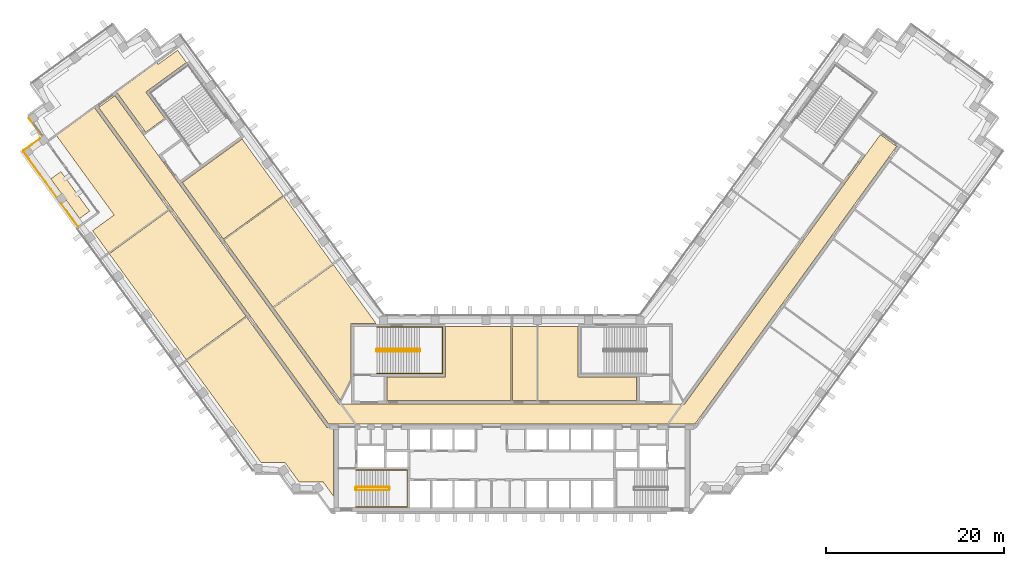
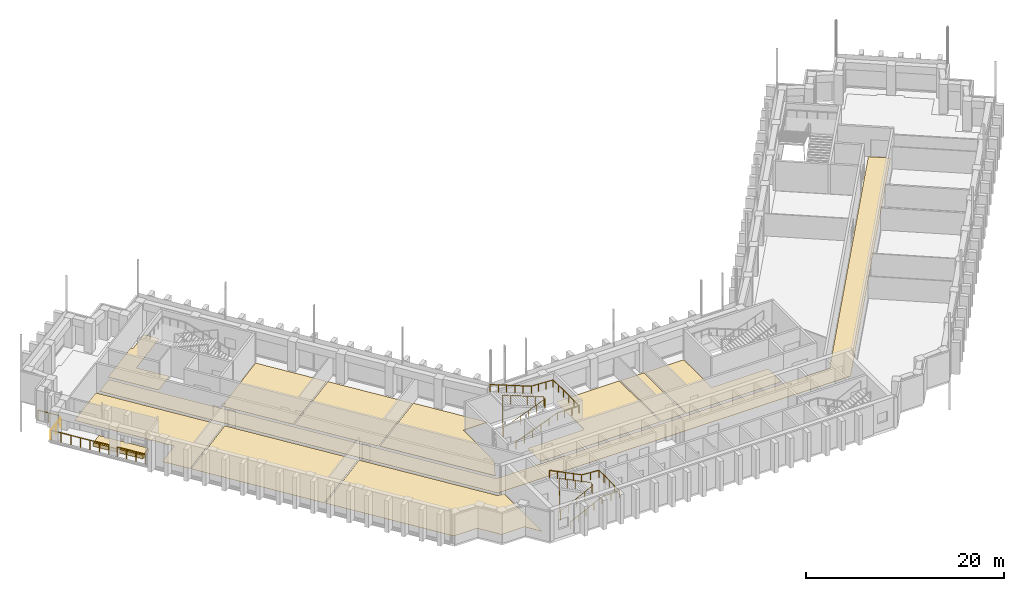
# One storey, part 17 of 19: 12 coverings, 8 railings.
"""IFC4 building model written with IfcOpenShell, lengths in metres."""

from ifc_helpers import new_model, si_unit, direction, frame, origin, origin_2d, place, context, subcontext, project, spatial, polyline, circle, outline, extrude, material, layer, layer_set, type_object, element, save


model = new_model("IFC4")

# Units and contexts
model_context = context("Model", 3, precision=1e-05, world=origin(), true_north=direction((0.0, 1.0)))
body_context = subcontext(model_context, "Body", "Model", "MODEL_VIEW")
ifc_project = project(units=[si_unit("LENGTHUNIT", "METRE"), si_unit("AREAUNIT", "SQUARE_METRE"), si_unit("VOLUMEUNIT", "CUBIC_METRE"), si_unit("PLANEANGLEUNIT", "RADIAN"), si_unit("MASSUNIT", "GRAM", prefix="KILO")], contexts=[model_context])

# Site, building, storey
site_placement = place(None, origin())
site = spatial("IfcSite", under=ifc_project, at=site_placement, CompositionType="ELEMENT")
building_placement = place(site_placement, origin())
building = spatial("IfcBuilding", under=site, at=building_placement, Name="Quipu Civic Tower", CompositionType="ELEMENT")
storey_placement = place(building_placement, frame((0.0, 0.0, 35.0)))
storey = spatial("IfcBuildingStorey", under=building, at=storey_placement, Name="L07", CompositionType="ELEMENT", Elevation=35.0)

# Coverings
ifc_material_1 = material(Name="Carpet tile on raised access floor")
ifc_layer_1 = layer(ifc_material_1, 0.02001953125)
ifc_layer_set_1 = layer_set([ifc_layer_1], Name="Carpet tile on raised access floor")
covering_type_1 = type_object("IfcCoveringType", Name="Carpet tile floor finish 20", PredefinedType="FLOORING", material=ifc_layer_set_1)
covering_1_placement = place(storey_placement, origin())
element("IfcCovering", 1, at=covering_1_placement, inside=storey, type_object=covering_type_1, Name="Carpet tile floor finish 20", PredefinedType="FLOORING", context=body_context, shape_type="SweptSolid", body=[
    extrude(outline(polyline([(-44.445068359375, 36.23193359375), (-39.906005859375, 39.530029296875), (-39.757080078125, 39.327880859375), (-37.573974609375, 40.9130859375), (-36.570068359375, 39.530029296875), (-41.139892578125, 36.208984375), (-38.998046875, 33.260009765625), (-41.15087890625, 31.697021484375), (-44.445068359375, 36.23193359375)])), origin(), (0.0, 0.0, 1.0), 0.02001953125),
])
covering_2_placement = place(storey_placement, origin())
element("IfcCovering", 2, at=covering_2_placement, inside=storey, type_object=covering_type_1, Name="Carpet tile floor finish 20", PredefinedType="FLOORING", context=body_context, shape_type="SweptSolid", body=[
    extrude(outline(polyline([(-32.339111328125, 19.570068359375), (-25.615966796875, 24.4541015625), (-20.14404296875, 16.9208984375), (-26.866943359375, 12.0380859375), (-32.339111328125, 19.570068359375)])), origin(), (0.0, 0.0, 1.0), 0.02001953125),
])
covering_3_placement = place(storey_placement, origin())
element("IfcCovering", 3, at=covering_3_placement, inside=storey, type_object=covering_type_1, Name="Carpet tile floor finish 20", PredefinedType="FLOORING", context=body_context, shape_type="SweptSolid", body=[
    extrude(outline(polyline([(-51.199951171875, 31.323974609375), (-46.904052734375, 34.444091796875), (-38.60791015625, 23.02490234375), (-45.3310546875, 18.14111328125), (-47.132080078125, 20.62109375), (-44.7060546875, 22.385009765625), (-51.199951171875, 31.323974609375)])), origin(), (0.0, 0.0, 1.0), 0.02001953125),
])
covering_4_placement = place(storey_placement, origin())
element("IfcCovering", 4, at=covering_4_placement, inside=storey, type_object=covering_type_1, Name="Carpet tile floor finish 20", PredefinedType="FLOORING", context=body_context, shape_type="SweptSolid", body=[
    extrude(outline(polyline([(-36.52001953125, 6.013916015625), (-29.7958984375, 10.89794921875), (-20.77490234375, -1.51904296875), (-20.070068359375, -1.52001953125), (-20.070068359375, -9.195068359375), (-21.196044921875, -7.64599609375), (-21.6630859375, -7.64599609375), (-21.666015625, -7.64404296875), (-21.669921875, -7.64111328125), (-21.675048828125, -7.639892578125), (-21.679931640625, -7.637939453125), (-21.68408203125, -7.636962890625), (-21.68896484375, -7.636962890625), (-21.694091796875, -7.635986328125), (-21.698974609375, -7.636962890625), (-21.7041015625, -7.637939453125), (-21.708984375, -7.638916015625), (-21.712890625, -7.64111328125), (-21.718017578125, -7.64306640625), (-21.721923828125, -7.64599609375), (-21.721923828125, -7.64599609375), (-23.89501953125, -7.64599609375), (-25.48193359375, -5.4619140625), (-28.181884765625, -5.4609375), (-36.52001953125, 6.013916015625)])), origin(), (0.0, 0.0, 1.0), 0.02001953125),
])
covering_5_placement = place(storey_placement, origin())
element("IfcCovering", 5, at=covering_5_placement, inside=storey, type_object=covering_type_1, Name="Carpet tile floor finish 20", PredefinedType="FLOORING", context=body_context, shape_type="SweptSolid", body=[
    extrude(outline(polyline([(2.948974609375, 1.52001953125), (2.948974609375, 9.830078125), (7.429931640625, 9.830078125), (7.430908203125, 4.179931640625), (14.030029296875, 4.179931640625), (14.030029296875, 1.52001953125), (2.948974609375, 1.52001953125)])), origin(), (0.0, 0.0, 1.0), 0.02001953125),
])
covering_6_placement = place(storey_placement, origin())
element("IfcCovering", 6, at=covering_6_placement, inside=storey, type_object=covering_type_1, Name="Carpet tile floor finish 20", PredefinedType="FLOORING", context=body_context, shape_type="SweptSolid", body=[
    extrude(outline(polyline([(-45.248046875, 18.028076171875), (-38.52490234375, 22.912109375), (-29.87890625, 11.010986328125), (-36.60302734375, 6.126953125), (-45.248046875, 18.028076171875)])), origin(), (0.0, 0.0, 1.0), 0.02001953125),
])
ifc_material_2 = material(Name="Ceramic floor tile")
ifc_layer_2 = layer(ifc_material_2, 0.030029296875)
ifc_layer_set_2 = layer_set([ifc_layer_2], Name="Ceramic floor tile")
covering_type_2 = type_object("IfcCoveringType", Name="Ceramic tile floor finish 30", PredefinedType="FLOORING", material=ifc_layer_set_2)
covering_7_placement = place(storey_placement, origin())
element("IfcCovering", 7, at=covering_7_placement, inside=storey, type_object=covering_type_2, Name="Ceramic tile floor finish 30", PredefinedType="FLOORING", context=body_context, shape_type="SweptSolid", body=[
    extrude(outline(polyline([(0.070068359375, 9.830078125), (2.80908203125, 9.830078125), (2.80908203125, 1.52001953125), (0.070068359375, 1.52001953125), (0.070068359375, 9.830078125)])), origin(), (0.0, 0.0, 1.0), 0.030029296875),
])
covering_8_placement = place(storey_placement, origin())
element("IfcCovering", 8, at=covering_8_placement, inside=storey, type_object=covering_type_2, Name="Ceramic tile floor finish 30", PredefinedType="FLOORING", context=body_context, shape_type="SweptSolid", body=[
    extrude(outline(polyline([(-14.030029296875, 4.179931640625), (-7.430908203125, 4.179931640625), (-7.429931640625, 9.830078125), (-0.070068359375, 9.830078125), (-0.070068359375, 1.52001953125), (-14.030029296875, 1.52001953125), (-14.030029296875, 4.179931640625)])), origin(), (0.0, 0.0, 1.0), 0.030029296875),
])
covering_9_placement = place(storey_placement, origin())
element("IfcCovering", 9, at=covering_9_placement, inside=storey, type_object=covering_type_2, Name="Ceramic tile floor finish 30", PredefinedType="FLOORING", context=body_context, shape_type="SweptSolid", body=[
    extrude(outline(polyline([(-37.0380859375, 26.0380859375), (-30.31494140625, 30.922119140625), (-25.698974609375, 24.56689453125), (-32.422119140625, 19.68310546875), (-37.0380859375, 26.0380859375)])), origin(), (0.0, 0.0, 1.0), 0.030029296875),
])
ifc_material_3 = material(Name="Planting soil on drainage board")
ifc_layer_3 = layer(ifc_material_3, 0.449951171875)
ifc_layer_set_3 = layer_set([ifc_layer_3], Name="Planting soil on drainage board")
covering_type_3 = type_object("IfcCoveringType", Name="Planted terrace build-up", PredefinedType="FLOORING", material=ifc_layer_set_3)
covering_10_placement = place(storey_placement, origin())
element("IfcCovering", 10, at=covering_10_placement, inside=storey, type_object=covering_type_3, Name="Planted terrace L07 bed 1", PredefinedType="FLOORING", context=body_context, shape_type="SweptSolid", body=[
    extrude(outline(polyline([(-47.456787109375, 22.819580078125), (-48.58935546875, 21.99658203125), (-51.822021484375, 26.446044921875), (-50.689453125, 27.26904296875), (-47.456787109375, 22.819580078125)])), origin(), (0.0, 0.0, 1.0), 0.449951171875),
])
ifc_material_4 = material(Name="Sealed cement screed")
ifc_layer_4 = layer(ifc_material_4, 0.050048828125)
ifc_layer_set_4 = layer_set([ifc_layer_4], Name="Sealed cement screed")
covering_type_4 = type_object("IfcCoveringType", Name="Sealed screed floor finish 50", PredefinedType="FLOORING", material=ifc_layer_set_4)
covering_11_placement = place(storey_placement, origin())
element("IfcCovering", 11, at=covering_11_placement, inside=storey, type_object=covering_type_4, Name="Sealed screed floor finish 50", PredefinedType="FLOORING", context=body_context, shape_type="SweptSolid", body=[
    extrude(outline(polyline([(-26.783935546875, 11.925048828125), (-20.06103515625, 16.80810546875), (-15.238037109375, 10.169921875), (-18.070068359375, 10.1689453125), (-18.070068359375, 3.94189453125), (-19.27197265625, 1.583984375), (-26.783935546875, 11.925048828125)])), origin(), (0.0, 0.0, 1.0), 0.050048828125),
])

# Railings
ifc_material_5 = material(Name="Stainless steel", Category="steel")
railing_type_1 = type_object("IfcRailingType", Name="Stair guard 1100", PredefinedType="GUARDRAIL", material=ifc_material_5)
railing_1_placement = place(storey_placement, frame((-17.5, -8.550048828125, 0.15380859375)))
element("IfcRailing", 12, at=railing_1_placement, inside=storey, type_object=railing_type_1, Name="Stair 1 guard", PredefinedType="GUARDRAIL", context=body_context, shape_type="SweptSolid", body=[
    extrude(circle(Radius=0.02392578125, at=origin_2d()), frame((0.0, 0.0, 1.076171875), z_axis=(0.895751851347, 0.0, 0.444554407028), x_axis=(0.0, 1.0, 0.0)), (0.0, 0.0, 1.0), 4.15283203125),
    extrude(circle(Radius=0.02392578125, at=origin_2d()), frame((3.719970703125, 0.0, 2.92236328125), z_axis=(0.707106781187, 0.707106781187, 0.0), x_axis=(-0.707106781187, 0.707106781187, 0.0)), (0.0, 0.0, 1.0), 0.07080078125),
    extrude(circle(Radius=0.02392578125, at=origin_2d()), frame((3.77001953125, 0.050048828125, 2.92236328125), z_axis=(0.0, 1.0, 0.0), x_axis=(-1.0, 0.0, 0.0)), (0.0, 0.0, 1.0), 0.25),
    extrude(circle(Radius=0.02392578125, at=origin_2d()), frame((3.77001953125, 0.300048828125, 2.92236328125), z_axis=(-0.295599637079, 0.295599637079, 0.908428152975), x_axis=(-0.707106781187, -0.707106781187, 0.0)), (0.0, 0.0, 1.0), 0.16943359375),
    extrude(circle(Radius=0.02392578125, at=origin_2d()), frame((3.719970703125, 0.35009765625, 3.076171875), z_axis=(-0.895751851347, 0.0, 0.444554407028), x_axis=(0.0, -1.0, 0.0)), (0.0, 0.0, 1.0), 4.15283203125),
    extrude(circle(Radius=0.02392578125, at=origin_2d()), frame((0.0, 0.35009765625, 4.92236328125), z_axis=(-0.012476181752, -0.074796231092, -0.997120789425), x_axis=(0.986372223864, -0.164529134168, 0.0)), (0.0, 0.0, 1.0), 4.011474609375),
    extrude(circle(Radius=0.02392578125, at=origin_2d()), frame((-0.050048828125, 0.050048828125, 0.92236328125), z_axis=(0.0, 1.0, 0.0), x_axis=(-1.0, 0.0, 0.0)), (0.0, 0.0, 1.0), 0.25),
    extrude(circle(Radius=0.02099609375, at=origin_2d()), origin(), (0.0, 0.0, 1.0), 1.052001953125),
    extrude(circle(Radius=0.02099609375, at=origin_2d()), frame((0.929931640625, 0.0, 0.46142578125)), (0.0, 0.0, 1.0), 1.052001953125),
    extrude(circle(Radius=0.02099609375, at=origin_2d()), frame((1.85986328125, 0.0, 0.923095703125)), (0.0, 0.0, 1.0), 1.052001953125),
    extrude(circle(Radius=0.02099609375, at=origin_2d()), frame((2.7900390625, 0.0, 1.384765625)), (0.0, 0.0, 1.0), 1.052001953125),
    extrude(circle(Radius=0.02099609375, at=origin_2d()), frame((3.719970703125, 0.0, 1.84619140625)), (0.0, 0.0, 1.0), 1.052001953125),
    extrude(circle(Radius=0.02099609375, at=origin_2d()), frame((3.77001953125, 0.050048828125, 1.84619140625)), (0.0, 0.0, 1.0), 1.052001953125),
    extrude(circle(Radius=0.02099609375, at=origin_2d()), frame((3.77001953125, 0.300048828125, 1.84619140625)), (0.0, 0.0, 1.0), 1.052001953125),
    extrude(circle(Radius=0.02099609375, at=origin_2d()), frame((3.719970703125, 0.35009765625, 2.0)), (0.0, 0.0, 1.0), 1.052001953125),
    extrude(circle(Radius=0.02099609375, at=origin_2d()), frame((2.7900390625, 0.35009765625, 2.46142578125)), (0.0, 0.0, 1.0), 1.052001953125),
    extrude(circle(Radius=0.02099609375, at=origin_2d()), frame((1.85986328125, 0.35009765625, 2.923095703125)), (0.0, 0.0, 1.0), 1.052001953125),
    extrude(circle(Radius=0.02099609375, at=origin_2d()), frame((0.929931640625, 0.35009765625, 3.384765625)), (0.0, 0.0, 1.0), 1.052001953125),
    extrude(circle(Radius=0.02099609375, at=origin_2d()), frame((0.0, 0.35009765625, 3.84619140625)), (0.0, 0.0, 1.0), 1.052001953125),
    extrude(circle(Radius=0.02099609375, at=origin_2d()), frame((-0.012451171875, 0.275146484375, 2.84619140625)), (0.0, 0.0, 1.0), 1.052001953125),
    extrude(circle(Radius=0.02099609375, at=origin_2d()), frame((-0.02490234375, 0.2001953125, 1.84619140625)), (0.0, 0.0, 1.0), 1.052001953125),
    extrude(circle(Radius=0.02099609375, at=origin_2d()), frame((-0.03759765625, 0.125, 0.84619140625)), (0.0, 0.0, 1.0), 1.052001953125),
    extrude(circle(Radius=0.02099609375, at=origin_2d()), frame((-0.050048828125, 0.050048828125, -0.15380859375)), (0.0, 0.0, 1.0), 1.052001953125),
    extrude(circle(Radius=0.02099609375, at=origin_2d()), frame((-0.050048828125, 0.300048828125, -0.15380859375)), (0.0, 0.0, 1.0), 1.052001953125),
])
railing_2_placement = place(storey_placement, frame((-15.14990234375, 7.050048828125, 0.11767578125)))
element("IfcRailing", 13, at=railing_2_placement, inside=storey, type_object=railing_type_1, Name="Stair 3 guard", PredefinedType="GUARDRAIL", context=body_context, shape_type="SweptSolid", body=[
    extrude(circle(Radius=0.02392578125, at=origin_2d()), frame((0.0, 0.0, 1.076171875), z_axis=(0.930970042603, 0.0, 0.365095576219), x_axis=(0.0, 1.0, 0.0)), (0.0, 0.0, 1.0), 5.15576171875),
    extrude(circle(Radius=0.02392578125, at=origin_2d()), frame((4.7998046875, 0.0, 2.95849609375), z_axis=(0.707106781187, 0.707106781187, 0.0), x_axis=(-0.707106781187, 0.707106781187, 0.0)), (0.0, 0.0, 1.0), 0.07080078125),
    extrude(circle(Radius=0.02392578125, at=origin_2d()), frame((4.849853515625, 0.050048828125, 2.95849609375), z_axis=(0.0, 1.0, 0.0), x_axis=(-1.0, 0.0, 0.0)), (0.0, 0.0, 1.0), 0.14990234375),
    extrude(circle(Radius=0.02392578125, at=origin_2d()), frame((4.849853515625, 0.199951171875, 2.95849609375), z_axis=(-0.364463019033, 0.364463019033, 0.856932561824), x_axis=(-0.707106781187, -0.707106781187, 0.0)), (0.0, 0.0, 1.0), 0.13720703125),
    extrude(circle(Radius=0.02392578125, at=origin_2d()), frame((4.7998046875, 0.25, 3.076171875), z_axis=(-0.930970042603, 0.0, 0.365095576219), x_axis=(0.0, -1.0, 0.0)), (0.0, 0.0, 1.0), 5.15576171875),
    extrude(circle(Radius=0.02392578125, at=origin_2d()), frame((0.0, 0.25, 4.95849609375), z_axis=(-0.012495627992, -0.049921557685, -0.998674970829), x_axis=(0.970072785993, -0.242814311512, 0.0)), (0.0, 0.0, 1.0), 4.00537109375),
    extrude(circle(Radius=0.02392578125, at=origin_2d()), frame((-0.050048828125, 0.050048828125, 0.95849609375), z_axis=(0.0, 1.0, 0.0), x_axis=(-1.0, 0.0, 0.0)), (0.0, 0.0, 1.0), 0.14990234375),
    extrude(circle(Radius=0.02099609375, at=origin_2d()), origin(), (0.0, 0.0, 1.0), 1.052001953125),
    extrude(circle(Radius=0.02099609375, at=origin_2d()), frame((0.9599609375, 0.0, 0.37646484375)), (0.0, 0.0, 1.0), 1.052001953125),
    extrude(circle(Radius=0.02099609375, at=origin_2d()), frame((1.919921875, 0.0, 0.7529296875)), (0.0, 0.0, 1.0), 1.052001953125),
    extrude(circle(Radius=0.02099609375, at=origin_2d()), frame((2.8798828125, 0.0, 1.12939453125)), (0.0, 0.0, 1.0), 1.052001953125),
    extrude(circle(Radius=0.02099609375, at=origin_2d()), frame((3.83984375, 0.0, 1.505859375)), (0.0, 0.0, 1.0), 1.052001953125),
    extrude(circle(Radius=0.02099609375, at=origin_2d()), frame((4.7998046875, 0.0, 1.88232421875)), (0.0, 0.0, 1.0), 1.052001953125),
    extrude(circle(Radius=0.02099609375, at=origin_2d()), frame((4.849853515625, 0.050048828125, 1.88232421875)), (0.0, 0.0, 1.0), 1.052001953125),
    extrude(circle(Radius=0.02099609375, at=origin_2d()), frame((4.849853515625, 0.199951171875, 1.88232421875)), (0.0, 0.0, 1.0), 1.052001953125),
    extrude(circle(Radius=0.02099609375, at=origin_2d()), frame((4.7998046875, 0.25, 2.0)), (0.0, 0.0, 1.0), 1.052001953125),
    extrude(circle(Radius=0.02099609375, at=origin_2d()), frame((3.83984375, 0.25, 2.37646484375)), (0.0, 0.0, 1.0), 1.052001953125),
    extrude(circle(Radius=0.02099609375, at=origin_2d()), frame((2.8798828125, 0.25, 2.7529296875)), (0.0, 0.0, 1.0), 1.052001953125),
    extrude(circle(Radius=0.02099609375, at=origin_2d()), frame((1.919921875, 0.25, 3.12939453125)), (0.0, 0.0, 1.0), 1.052001953125),
    extrude(circle(Radius=0.02099609375, at=origin_2d()), frame((0.9599609375, 0.25, 3.505859375)), (0.0, 0.0, 1.0), 1.052001953125),
    extrude(circle(Radius=0.02099609375, at=origin_2d()), frame((0.0, 0.25, 3.88232421875)), (0.0, 0.0, 1.0), 1.052001953125),
    extrude(circle(Radius=0.02099609375, at=origin_2d()), frame((-0.012451171875, 0.199951171875, 2.88232421875)), (0.0, 0.0, 1.0), 1.052001953125),
    extrude(circle(Radius=0.02099609375, at=origin_2d()), frame((-0.02490234375, 0.14990234375, 1.88232421875)), (0.0, 0.0, 1.0), 1.052001953125),
    extrude(circle(Radius=0.02099609375, at=origin_2d()), frame((-0.03759765625, 0.10009765625, 0.88232421875)), (0.0, 0.0, 1.0), 1.052001953125),
    extrude(circle(Radius=0.02099609375, at=origin_2d()), frame((-0.050048828125, 0.050048828125, -0.11767578125)), (0.0, 0.0, 1.0), 1.052001953125),
    extrude(circle(Radius=0.02099609375, at=origin_2d()), frame((-0.050048828125, 0.199951171875, -0.11767578125)), (0.0, 0.0, 1.0), 1.052001953125),
])
ifc_material_6 = material(Name="Stainless steel", Category="steel")
railing_type_2 = type_object("IfcRailingType", Name="Stair handrail", PredefinedType="HANDRAIL", material=ifc_material_6)
railing_3_placement = place(storey_placement, frame((-17.5, -10.449951171875, 0.15380859375)))
element("IfcRailing", 14, at=railing_3_placement, inside=storey, type_object=railing_type_2, Name="Stair 1 handrail", PredefinedType="HANDRAIL", context=body_context, shape_type="SweptSolid", body=[
    extrude(circle(Radius=0.02392578125, at=origin_2d()), frame((0.0, 0.0, 0.8759765625), z_axis=(0.895751851347, 0.0, 0.444554407028), x_axis=(0.0, 1.0, 0.0)), (0.0, 0.0, 1.0), 4.15283203125),
    extrude(circle(Radius=0.02392578125, at=origin_2d()), frame((3.719970703125, 0.0, 2.72216796875), z_axis=(1.0, 0.0, 0.0), x_axis=(0.0, 1.0, 0.0)), (0.0, 0.0, 1.0), 2.030029296875),
    extrude(circle(Radius=0.02392578125, at=origin_2d()), frame((5.75, 0.0, 2.72216796875), z_axis=(0.0, 1.0, 0.0), x_axis=(-1.0, 0.0, 0.0)), (0.0, 0.0, 1.0), 4.14990234375),
    extrude(circle(Radius=0.02392578125, at=origin_2d()), frame((5.75, 4.14990234375, 2.72216796875), z_axis=(-0.997142003663, 0.0, 0.075550145798), x_axis=(0.0, -1.0, 0.0)), (0.0, 0.0, 1.0), 2.035888671875),
    extrude(circle(Radius=0.02392578125, at=origin_2d()), frame((3.719970703125, 4.14990234375, 2.8759765625), z_axis=(-0.895751851347, 0.0, 0.444554407028), x_axis=(0.0, -1.0, 0.0)), (0.0, 0.0, 1.0), 4.15283203125),
    extrude(circle(Radius=0.02099609375, at=origin_2d()), origin(), (0.0, 0.0, 1.0), 0.851806640625),
    extrude(circle(Radius=0.02099609375, at=origin_2d()), frame((0.929931640625, 0.0, 0.46142578125)), (0.0, 0.0, 1.0), 0.851806640625),
    extrude(circle(Radius=0.02099609375, at=origin_2d()), frame((1.85986328125, 0.0, 0.923095703125)), (0.0, 0.0, 1.0), 0.851806640625),
    extrude(circle(Radius=0.02099609375, at=origin_2d()), frame((2.7900390625, 0.0, 1.384765625)), (0.0, 0.0, 1.0), 0.851806640625),
    extrude(circle(Radius=0.02099609375, at=origin_2d()), frame((3.719970703125, 0.0, 1.84619140625)), (0.0, 0.0, 1.0), 0.851806640625),
    extrude(circle(Radius=0.02099609375, at=origin_2d()), frame((4.73486328125, 0.0, 1.84619140625)), (0.0, 0.0, 1.0), 0.851806640625),
    extrude(circle(Radius=0.02099609375, at=origin_2d()), frame((5.75, 0.0, 1.84619140625)), (0.0, 0.0, 1.0), 0.851806640625),
    extrude(circle(Radius=0.02099609375, at=origin_2d()), frame((5.75, 1.03759765625, 1.84619140625)), (0.0, 0.0, 1.0), 0.851806640625),
    extrude(circle(Radius=0.02099609375, at=origin_2d()), frame((5.75, 2.074951171875, 1.84619140625)), (0.0, 0.0, 1.0), 0.851806640625),
    extrude(circle(Radius=0.02099609375, at=origin_2d()), frame((5.75, 3.1123046875, 1.84619140625)), (0.0, 0.0, 1.0), 0.851806640625),
    extrude(circle(Radius=0.02099609375, at=origin_2d()), frame((5.75, 4.14990234375, 1.84619140625)), (0.0, 0.0, 1.0), 0.851806640625),
    extrude(circle(Radius=0.02099609375, at=origin_2d()), frame((4.73486328125, 4.14990234375, 1.923095703125)), (0.0, 0.0, 1.0), 0.851806640625),
    extrude(circle(Radius=0.02099609375, at=origin_2d()), frame((3.719970703125, 4.14990234375, 2.0)), (0.0, 0.0, 1.0), 0.851806640625),
    extrude(circle(Radius=0.02099609375, at=origin_2d()), frame((2.7900390625, 4.14990234375, 2.46142578125)), (0.0, 0.0, 1.0), 0.851806640625),
    extrude(circle(Radius=0.02099609375, at=origin_2d()), frame((1.85986328125, 4.14990234375, 2.923095703125)), (0.0, 0.0, 1.0), 0.851806640625),
    extrude(circle(Radius=0.02099609375, at=origin_2d()), frame((0.929931640625, 4.14990234375, 3.384765625)), (0.0, 0.0, 1.0), 0.851806640625),
    extrude(circle(Radius=0.02099609375, at=origin_2d()), frame((0.0, 4.14990234375, 3.84619140625)), (0.0, 0.0, 1.0), 0.851806640625),
])
railing_4_placement = place(storey_placement, frame((-15.14990234375, 4.550048828125, 0.11767578125)))
element("IfcRailing", 15, at=railing_4_placement, inside=storey, type_object=railing_type_2, Name="Stair 3 handrail", PredefinedType="HANDRAIL", context=body_context, shape_type="SweptSolid", body=[
    extrude(circle(Radius=0.02392578125, at=origin_2d()), frame((0.0, 0.0, 0.8759765625), z_axis=(0.930970042603, 0.0, 0.365095576219), x_axis=(0.0, 1.0, 0.0)), (0.0, 0.0, 1.0), 5.15576171875),
    extrude(circle(Radius=0.02392578125, at=origin_2d()), frame((4.7998046875, 0.0, 2.75830078125), z_axis=(1.0, 0.0, 0.0), x_axis=(0.0, 1.0, 0.0)), (0.0, 0.0, 1.0), 2.550048828125),
    extrude(circle(Radius=0.02392578125, at=origin_2d()), frame((7.349853515625, 0.0, 2.75830078125), z_axis=(0.0, 1.0, 0.0), x_axis=(-1.0, 0.0, 0.0)), (0.0, 0.0, 1.0), 5.25),
    extrude(circle(Radius=0.02392578125, at=origin_2d()), frame((7.349853515625, 5.25, 2.75830078125), z_axis=(-0.998936948642, 0.0, 0.04609742549), x_axis=(0.0, -1.0, 0.0)), (0.0, 0.0, 1.0), 2.552734375),
    extrude(circle(Radius=0.02392578125, at=origin_2d()), frame((4.7998046875, 5.25, 2.8759765625), z_axis=(-0.930970042603, 0.0, 0.365095576219), x_axis=(0.0, -1.0, 0.0)), (0.0, 0.0, 1.0), 5.15576171875),
    extrude(circle(Radius=0.02099609375, at=origin_2d()), origin(), (0.0, 0.0, 1.0), 0.851806640625),
    extrude(circle(Radius=0.02099609375, at=origin_2d()), frame((0.9599609375, 0.0, 0.37646484375)), (0.0, 0.0, 1.0), 0.851806640625),
    extrude(circle(Radius=0.02099609375, at=origin_2d()), frame((1.919921875, 0.0, 0.7529296875)), (0.0, 0.0, 1.0), 0.851806640625),
    extrude(circle(Radius=0.02099609375, at=origin_2d()), frame((2.8798828125, 0.0, 1.12939453125)), (0.0, 0.0, 1.0), 0.851806640625),
    extrude(circle(Radius=0.02099609375, at=origin_2d()), frame((3.83984375, 0.0, 1.505859375)), (0.0, 0.0, 1.0), 0.851806640625),
    extrude(circle(Radius=0.02099609375, at=origin_2d()), frame((4.7998046875, 0.0, 1.88232421875)), (0.0, 0.0, 1.0), 0.851806640625),
    extrude(circle(Radius=0.02099609375, at=origin_2d()), frame((5.64990234375, 0.0, 1.88232421875)), (0.0, 0.0, 1.0), 0.851806640625),
    extrude(circle(Radius=0.02099609375, at=origin_2d()), frame((6.499755859375, 0.0, 1.88232421875)), (0.0, 0.0, 1.0), 0.851806640625),
    extrude(circle(Radius=0.02099609375, at=origin_2d()), frame((7.349853515625, 0.0, 1.88232421875)), (0.0, 0.0, 1.0), 0.851806640625),
    extrude(circle(Radius=0.02099609375, at=origin_2d()), frame((7.349853515625, 1.050048828125, 1.88232421875)), (0.0, 0.0, 1.0), 0.851806640625),
    extrude(circle(Radius=0.02099609375, at=origin_2d()), frame((7.349853515625, 2.10009765625, 1.88232421875)), (0.0, 0.0, 1.0), 0.851806640625),
    extrude(circle(Radius=0.02099609375, at=origin_2d()), frame((7.349853515625, 3.14990234375, 1.88232421875)), (0.0, 0.0, 1.0), 0.851806640625),
    extrude(circle(Radius=0.02099609375, at=origin_2d()), frame((7.349853515625, 4.199951171875, 1.88232421875)), (0.0, 0.0, 1.0), 0.851806640625),
    extrude(circle(Radius=0.02099609375, at=origin_2d()), frame((7.349853515625, 5.25, 1.88232421875)), (0.0, 0.0, 1.0), 0.851806640625),
    extrude(circle(Radius=0.02099609375, at=origin_2d()), frame((6.499755859375, 5.25, 1.921630859375)), (0.0, 0.0, 1.0), 0.851806640625),
    extrude(circle(Radius=0.02099609375, at=origin_2d()), frame((5.64990234375, 5.25, 1.960693359375)), (0.0, 0.0, 1.0), 0.851806640625),
    extrude(circle(Radius=0.02099609375, at=origin_2d()), frame((4.7998046875, 5.25, 2.0)), (0.0, 0.0, 1.0), 0.851806640625),
    extrude(circle(Radius=0.02099609375, at=origin_2d()), frame((3.83984375, 5.25, 2.37646484375)), (0.0, 0.0, 1.0), 0.851806640625),
    extrude(circle(Radius=0.02099609375, at=origin_2d()), frame((2.8798828125, 5.25, 2.7529296875)), (0.0, 0.0, 1.0), 0.851806640625),
    extrude(circle(Radius=0.02099609375, at=origin_2d()), frame((1.919921875, 5.25, 3.12939453125)), (0.0, 0.0, 1.0), 0.851806640625),
    extrude(circle(Radius=0.02099609375, at=origin_2d()), frame((0.9599609375, 5.25, 3.505859375)), (0.0, 0.0, 1.0), 0.851806640625),
    extrude(circle(Radius=0.02099609375, at=origin_2d()), frame((0.0, 5.25, 3.88232421875)), (0.0, 0.0, 1.0), 0.851806640625),
])
ifc_material_7 = material(Name="Steel S275", Category="steel")
railing_type_3 = type_object("IfcRailingType", Name="Terrace guard G1", PredefinedType="GUARDRAIL", material=ifc_material_7)
railing_5_placement = place(storey_placement, frame((-54.302490234375, 33.296630859375, 0.0)))
element("IfcRailing", 16, at=railing_5_placement, inside=storey, type_object=railing_type_3, Name="Terrace guard L07.1", PredefinedType="GUARDRAIL", context=body_context, shape_type="SweptSolid", body=[
    extrude(circle(Radius=0.02490234375, at=origin_2d()), frame((0.0, 0.0, 1.1748046875), z_axis=(0.587736122681, -0.809052686848, 0.0), x_axis=(0.809052686848, 0.587736122681, 0.0)), (0.0, 0.0, 1.0), 2.300048828125),
    extrude(circle(Radius=0.02490234375, at=origin_2d()), origin(), (0.0, 0.0, 1.0), 1.14990234375),
    extrude(circle(Radius=0.02490234375, at=origin_2d()), frame((0.67578125, -0.930419921875, 0.0)), (0.0, 0.0, 1.0), 1.14990234375),
    extrude(circle(Radius=0.02490234375, at=origin_2d()), frame((1.351806640625, -1.86083984375, 0.0)), (0.0, 0.0, 1.0), 1.14990234375),
])
railing_6_placement = place(storey_placement, frame((-53.021484375, 30.98876953125, 0.0)))
element("IfcRailing", 17, at=railing_6_placement, inside=storey, type_object=railing_type_3, Name="Terrace guard L07.2", PredefinedType="GUARDRAIL", context=body_context, shape_type="SweptSolid", body=[
    extrude(circle(Radius=0.02490234375, at=origin_2d()), frame((0.0, 0.0, 1.1748046875), z_axis=(-0.809016015356, -0.587786599794, 0.0), x_axis=(0.587786599794, -0.809016015356, 0.0)), (0.0, 0.0, 1.0), 2.2998046875),
    extrude(circle(Radius=0.02490234375, at=origin_2d()), origin(), (0.0, 0.0, 1.0), 1.14990234375),
    extrude(circle(Radius=0.02490234375, at=origin_2d()), frame((-0.93017578125, -0.67578125, 0.0)), (0.0, 0.0, 1.0), 1.14990234375),
    extrude(circle(Radius=0.02490234375, at=origin_2d()), frame((-1.860595703125, -1.351806640625, 0.0)), (0.0, 0.0, 1.0), 1.14990234375),
])
railing_7_placement = place(storey_placement, frame((-54.899658203125, 29.525146484375, 0.0)))
element("IfcRailing", 18, at=railing_7_placement, inside=storey, type_object=railing_type_3, Name="Terrace guard L07.3", PredefinedType="GUARDRAIL", context=body_context, shape_type="SweptSolid", body=[
    extrude(circle(Radius=0.02490234375, at=origin_2d()), frame((0.0, 0.0, 1.1748046875), z_axis=(0.587771860833, -0.80902672367, 0.0), x_axis=(0.80902672367, 0.587771860833, 0.0)), (0.0, 0.0, 1.0), 6.354736328125),
    extrude(circle(Radius=0.02490234375, at=origin_2d()), origin(), (0.0, 0.0, 1.0), 1.14990234375),
    extrude(circle(Radius=0.02490234375, at=origin_2d()), frame((0.62255859375, -0.85693359375, 0.0)), (0.0, 0.0, 1.0), 1.14990234375),
    extrude(circle(Radius=0.02490234375, at=origin_2d()), frame((1.2451171875, -1.713623046875, 0.0)), (0.0, 0.0, 1.0), 1.14990234375),
    extrude(circle(Radius=0.02490234375, at=origin_2d()), frame((1.86767578125, -2.570556640625, 0.0)), (0.0, 0.0, 1.0), 1.14990234375),
    extrude(circle(Radius=0.02490234375, at=origin_2d()), frame((2.489990234375, -3.427490234375, 0.0)), (0.0, 0.0, 1.0), 1.14990234375),
    extrude(circle(Radius=0.02490234375, at=origin_2d()), frame((3.112548828125, -4.2841796875, 0.0)), (0.0, 0.0, 1.0), 1.14990234375),
    extrude(circle(Radius=0.02490234375, at=origin_2d()), frame((3.735107421875, -5.14111328125, 0.0)), (0.0, 0.0, 1.0), 1.14990234375),
])
railing_8_placement = place(storey_placement, frame((-50.635498046875, 23.656005859375, 0.0)))
element("IfcRailing", 19, at=railing_8_placement, inside=storey, type_object=railing_type_3, Name="Terrace guard L07.4", PredefinedType="GUARDRAIL", context=body_context, shape_type="SweptSolid", body=[
    extrude(circle(Radius=0.02490234375, at=origin_2d()), frame((0.0, 0.0, 1.1748046875), z_axis=(0.587747008185, -0.809044778964, 0.0), x_axis=(0.809044778964, 0.587747008185, 0.0)), (0.0, 0.0, 1.0), 3.145263671875),
    extrude(circle(Radius=0.02490234375, at=origin_2d()), origin(), (0.0, 0.0, 1.0), 1.14990234375),
    extrude(circle(Radius=0.02490234375, at=origin_2d()), frame((0.6162109375, -0.84814453125, 0.0)), (0.0, 0.0, 1.0), 1.14990234375),
    extrude(circle(Radius=0.02490234375, at=origin_2d()), frame((1.232421875, -1.696533203125, 0.0)), (0.0, 0.0, 1.0), 1.14990234375),
    extrude(circle(Radius=0.02490234375, at=origin_2d()), frame((1.8486328125, -2.544677734375, 0.0)), (0.0, 0.0, 1.0), 1.14990234375),
])

# Covering
ifc_material_8 = material(Name="Terrazzo floor finish")
ifc_layer_5 = layer(ifc_material_8, 0.0400390625)
ifc_layer_set_5 = layer_set([ifc_layer_5], Name="Terrazzo floor finish")
covering_type_5 = type_object("IfcCoveringType", Name="Terrazzo floor finish 40", PredefinedType="FLOORING", material=ifc_layer_set_5)
covering_12_placement = place(storey_placement, origin())
element("IfcCovering", 20, at=covering_12_placement, inside=storey, type_object=covering_type_5, Name="Terrazzo floor finish 40", PredefinedType="FLOORING", context=body_context, shape_type="SweptSolid", body=[
    extrude(outline(polyline([(20.574951171875, -1.1298828125), (-20.574951171875, -1.1298828125), (-46.44091796875, 34.471923828125), (-44.613037109375, 35.800048828125), (-19.425048828125, 1.1298828125), (19.425048828125, 1.1298828125), (41.43896484375, 31.430908203125), (43.26708984375, 30.10302734375), (20.574951171875, -1.1298828125)])), origin(), (0.0, 0.0, 1.0), 0.0400390625),
])

save(model, "model.ifc")
